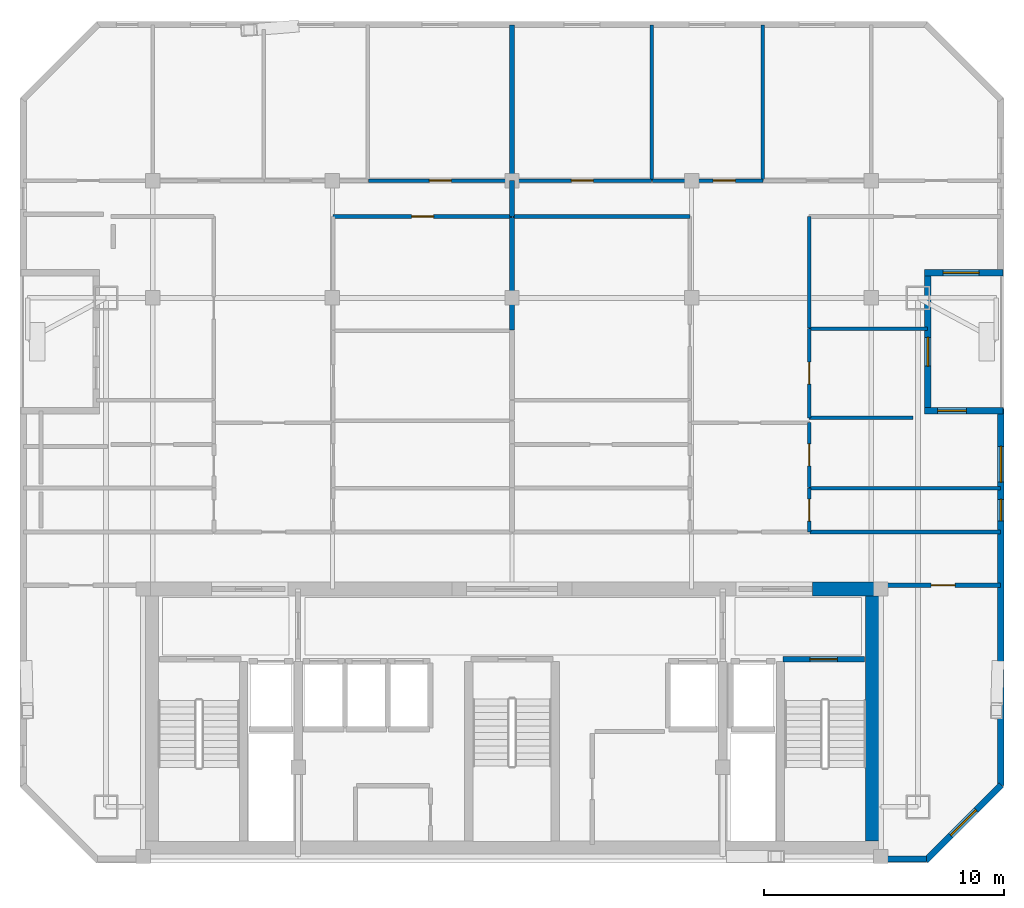
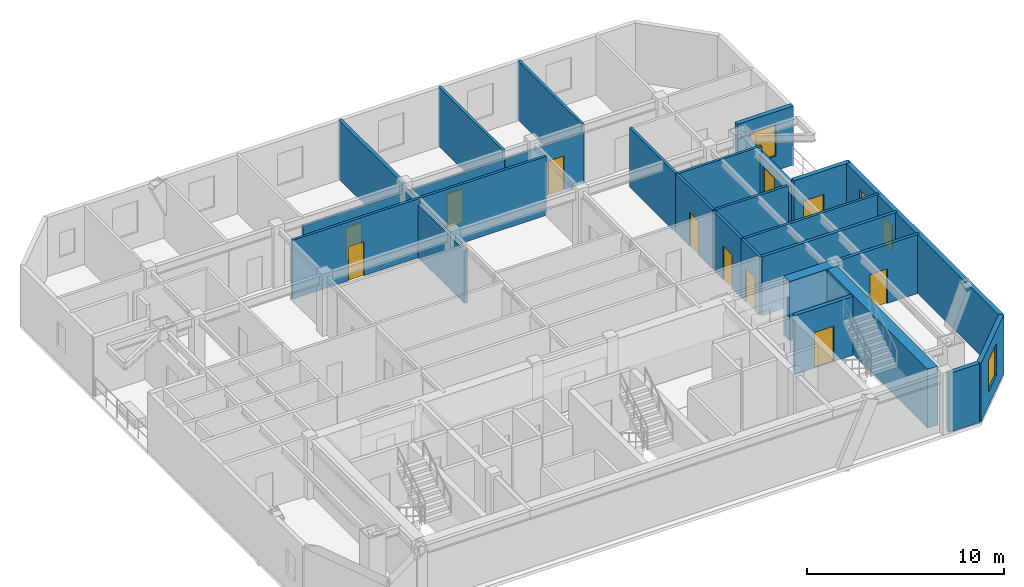
# One storey, part 5 of 7: 28 walls, 10 doors, 5 windows, 15 openings.
"""IFC4 building model written with IfcOpenShell, lengths in metres."""

from ifc_helpers import new_model, si_unit, direction, frame, frame_2d, origin, place, context, subcontext, project, spatial, rectangle, extrude, material, layer, layer_set, type_object, element, fill, save


model = new_model("IFC4")

# Units and contexts
model_context = context("Model", 3, precision=1e-05, world=origin(), true_north=direction((0.0, 1.0)))
body_context = subcontext(model_context, "Body", "Model", "MODEL_VIEW")
ifc_project = project(units=[si_unit("LENGTHUNIT", "METRE"), si_unit("AREAUNIT", "SQUARE_METRE"), si_unit("VOLUMEUNIT", "CUBIC_METRE"), si_unit("PLANEANGLEUNIT", "RADIAN"), si_unit("MASSUNIT", "GRAM", prefix="KILO")], contexts=[model_context])

# Site, building, storey
site_placement = place(None, origin())
site = spatial("IfcSite", under=ifc_project, at=site_placement, CompositionType="ELEMENT")
building_placement = place(site_placement, origin())
building = spatial("IfcBuilding", under=site, at=building_placement, Name="Ventersveld Concourse Tower", CompositionType="ELEMENT")
storey_placement = place(building_placement, frame((0.0, 0.0, 272.14990234375)))
storey = spatial("IfcBuildingStorey", under=building, at=storey_placement, Name="L67", CompositionType="ELEMENT", Elevation=272.14990234375)

# Walls
ifc_material_1 = material(Name="Concrete C50/60", Category="concrete")
ifc_layer_1 = layer(ifc_material_1, 0.60009765625)
ifc_layer_set_1 = layer_set([ifc_layer_1], Name="Concrete C50/60")
wall_type_1 = type_object("IfcWallType", Name="WL-CORE-600", PredefinedType="SHEAR", material=ifc_layer_set_1)
wall_1_placement = place(storey_placement, frame((43.800048828125, 0.919921875, 0.0), z_axis=(0.0, 0.0, 1.0), x_axis=(0.0, 1.0, 0.0)))
element("IfcWall", 1, at=wall_1_placement, inside=storey, type_object=wall_type_1, Name="L67 Rear Core East Shear Wall", PredefinedType="SHEAR", context=body_context, shape_type="SweptSolid", body=[
    extrude(rectangle(XDim=10.530029296875, YDim=0.60009765625, at=frame_2d((5.26513671875, 0.0))), origin(), (0.0, 0.0, 1.0), 3.650146484375),
])
wall_2_placement = place(storey_placement, frame((41.300048828125, 11.449951171875, 0.0), z_axis=(0.0, 0.0, 1.0), x_axis=(1.0, 0.0, 0.0)))
element("IfcWall", 2, at=wall_2_placement, inside=storey, type_object=wall_type_1, Name="L67 Rear Core North Shear Wall NE", PredefinedType="SHEAR", context=body_context, shape_type="SweptSolid", body=[
    extrude(rectangle(XDim=2.949951171875, YDim=0.60009765625, at=frame_2d((1.47509765625, 0.0))), origin(), (0.0, 0.0, 1.0), 3.650146484375),
])

# Wall, opening, door
ifc_material_2 = material(Name="Fire-rated autoclaved aerated masonry blockwork", Category="masonry")
ifc_layer_2 = layer(ifc_material_2, 0.179931640625)
ifc_layer_set_2 = layer_set([ifc_layer_2], Name="Fire-rated autoclaved aerated masonry blockwork")
wall_type_2 = type_object("IfcWallType", Name="WL-CORR-180", PredefinedType="PARTITIONING", material=ifc_layer_set_2)
wall_3_placement = place(storey_placement, frame((44.35498046875, 11.60009765625, 0.0), z_axis=(0.0, 0.0, 1.0), x_axis=(1.0, 0.0, 0.0)))
wall_3 = element("IfcWall", 3, at=wall_3_placement, inside=storey, type_object=wall_type_2, Name="L67 Interior Partition SP-L67-SE-OFF-SP-L67-COR", PredefinedType="PARTITIONING", context=body_context, shape_type="SweptSolid", body=[
    extrude(rectangle(XDim=4.78466796875, YDim=0.179931640625, at=frame_2d((2.392333984375, 0.0))), origin(), (0.0, 0.0, 1.0), 3.650146484375),
])
opening_1_placement = place(wall_3_placement, frame((1.892333984375, 0.0, 0.0)))
opening_1 = element("IfcOpeningElement", 4, at=opening_1_placement, cuts=wall_3, Name="Opening FD3", PredefinedType="OPENING", context=body_context, shape_type="SweptSolid", body=[
    extrude(rectangle(XDim=1.0, YDim=2.14990234375, at=frame_2d((0.5, 1.074951171875))), frame((0.0, 0.10009765625, 0.0), z_axis=(0.0, -1.0, 0.0), x_axis=(1.0, 0.0, 0.0)), (0.0, 0.0, 1.0), 0.199951171875),
])
ifc_material_3 = material(Name="Solid-core hardwood veneer timber", Category="wood")
door_type_1 = type_object("IfcDoorType", Name="DR-FLAT-100", OperationType="NOTDEFINED", PredefinedType="DOOR", material=ifc_material_3)
door_1_placement = place(opening_1_placement, origin())
door_1 = element("IfcDoor", 5, at=door_1_placement, inside=storey, type_object=door_type_1, Name="L67 Interior Door SP-L67-SE-OFF to SP-L67-COR (D-L67-3142)", OperationType="SINGLE_SWING_RIGHT", OverallHeight=2.14990234375, OverallWidth=1.0, PredefinedType="DOOR", context=body_context, shape_type="SweptSolid", body=[
    extrude(rectangle(XDim=1.0, YDim=2.14990234375, at=frame_2d((0.5, 1.074951171875))), frame((0.0, 0.02490234375, 0.0), z_axis=(0.0, -1.0, 0.0), x_axis=(1.0, 0.0, 0.0)), (0.0, 0.0, 1.0), 0.050048828125),
])
fill(opening_1, door_1)

# Walls
wall_4_placement = place(storey_placement, frame((41.190185546875, 13.830078125, 0.0), z_axis=(0.0, 0.0, 1.0), x_axis=(1.0, 0.0, 0.0)))
element("IfcWall", 6, at=wall_4_placement, inside=storey, type_object=wall_type_2, Name="L67 Interior Partition SP-L67-COR-SP-L67-67N2-KIT", PredefinedType="PARTITIONING", context=body_context, shape_type="SweptSolid", body=[
    extrude(rectangle(XDim=7.949462890625, YDim=0.179931640625, at=frame_2d((3.974609375, 0.0))), origin(), (0.0, 0.0, 1.0), 3.650146484375),
])
ifc_layer_3 = layer(ifc_material_2, 0.199951171875)
ifc_layer_set_3 = layer_set([ifc_layer_3], Name="Fire-rated autoclaved aerated masonry blockwork")
wall_type_3 = type_object("IfcWallType", Name="WL-DEMISE-200", PredefinedType="PARTITIONING", material=ifc_layer_set_3)
wall_5_placement = place(storey_placement, frame((28.75, 26.9951171875, 0.0), z_axis=(0.0, 0.0, 1.0), x_axis=(0.0, 1.0, 0.0)))
element("IfcWall", 7, at=wall_5_placement, inside=storey, type_object=wall_type_3, Name="L67 Interior Partition SP-L67-67N1-LIV-SP-L67-67N2-LIV", PredefinedType="PARTITIONING", context=body_context, shape_type="SweptSolid", body=[
    extrude(rectangle(XDim=1.509765625, YDim=0.199951171875, at=frame_2d((0.7548828125, 0.0))), origin(), (0.0, 0.0, 1.0), 3.295166015625),
])
wall_6_placement = place(storey_placement, frame((28.75, 22.26806640625, 0.0), z_axis=(0.0, 0.0, 1.0), x_axis=(0.0, 1.0, 0.0)))
element("IfcWall", 8, at=wall_6_placement, inside=storey, type_object=wall_type_3, Name="L67 Interior Partition SP-L67-67N1-DENS2-SP-L67-67N2-DENL", PredefinedType="PARTITIONING", context=body_context, shape_type="SweptSolid", body=[
    extrude(rectangle(XDim=4.697021484375, YDim=0.199951171875, at=frame_2d((2.3486328125, 0.0))), origin(), (0.0, 0.0, 1.0), 3.295166015625),
])
wall_7_placement = place(storey_placement, frame((28.75, 28.534912109375, 0.0), z_axis=(0.0, 0.0, 1.0), x_axis=(0.0, 1.0, 0.0)))
element("IfcWall", 9, at=wall_7_placement, inside=storey, type_object=wall_type_3, Name="L67 Interior Partition SP-L67-67N1-BR4-SP-L67-67N2-BR1", PredefinedType="PARTITIONING", context=body_context, shape_type="SweptSolid", body=[
    extrude(rectangle(XDim=6.45947265625, YDim=0.199951171875, at=frame_2d((3.229736328125, 0.0))), origin(), (0.0, 0.0, 1.0), 3.650146484375),
])

# Wall, opening, door
ifc_layer_4 = layer(ifc_material_2, 0.219970703125)
ifc_layer_set_4 = layer_set([ifc_layer_4], Name="Fire-rated autoclaved aerated masonry blockwork")
wall_type_4 = type_object("IfcWallType", Name="WL-HOIST-220", PredefinedType="SOLIDWALL", material=ifc_layer_set_4)
wall_8_placement = place(storey_placement, frame((40.06005859375, 8.52001953125, 0.0), z_axis=(0.0, 0.0, 1.0), x_axis=(1.0, 0.0, 0.0)))
wall_8 = element("IfcWall", 10, at=wall_8_placement, inside=storey, type_object=wall_type_4, Name="L67 Escape Stair ST02 Fire Wall", PredefinedType="SOLIDWALL", context=body_context, shape_type="SweptSolid", body=[
    extrude(rectangle(XDim=3.39990234375, YDim=0.219970703125, at=frame_2d((1.699951171875, 0.0))), origin(), (0.0, 0.0, 1.0), 3.650146484375),
])
opening_2_placement = place(wall_8_placement, frame((1.125, 0.0, 0.0)))
opening_2 = element("IfcOpeningElement", 11, at=opening_2_placement, cuts=wall_8, Name="Opening FD1", PredefinedType="OPENING", context=body_context, shape_type="SweptSolid", body=[
    extrude(rectangle(XDim=1.14990234375, YDim=2.199951171875, at=frame_2d((0.574951171875, 1.10009765625))), frame((0.0, 0.1201171875, 0.0), z_axis=(0.0, -1.0, 0.0), x_axis=(1.0, 0.0, 0.0)), (0.0, 0.0, 1.0), 0.239990234375),
])
ifc_material_4 = material(Name="Galvanised painted steel", Category="steel")
door_type_2 = type_object("IfcDoorType", Name="DR-STAIR-115", OperationType="NOTDEFINED", PredefinedType="DOOR", material=ifc_material_4)
door_2_placement = place(opening_2_placement, origin())
door_2 = element("IfcDoor", 12, at=door_2_placement, inside=storey, type_object=door_type_2, Name="L67 Escape Stair Door ST02 (SD-L67-3132)", OperationType="SINGLE_SWING_RIGHT", OverallHeight=2.199951171875, OverallWidth=1.14990234375, PredefinedType="DOOR", context=body_context, shape_type="SweptSolid", body=[
    extrude(rectangle(XDim=1.14990234375, YDim=2.199951171875, at=frame_2d((0.574951171875, 1.10009765625))), frame((0.0, 0.02490234375, 0.0), z_axis=(0.0, -1.0, 0.0), x_axis=(1.0, 0.0, 0.0)), (0.0, 0.0, 1.0), 0.050048828125),
])
fill(opening_2, door_2)

ifc_material_5 = material(Name="Autoclaved aerated masonry blockwork", Category="masonry")
ifc_layer_5 = layer(ifc_material_5, 0.14990234375)
ifc_layer_set_5 = layer_set([ifc_layer_5], Name="Autoclaved aerated masonry blockwork")
wall_type_5 = type_object("IfcWallType", Name="WL-INT-150", PredefinedType="PARTITIONING", material=ifc_layer_set_5)
wall_9_placement = place(storey_placement, frame((21.279052734375, 27.0, 0.0), z_axis=(0.0, 0.0, 1.0), x_axis=(1.0, 0.0, 0.0)))
wall_9 = element("IfcWall", 13, at=wall_9_placement, inside=storey, type_object=wall_type_5, Name="L67 Interior Partition SP-L67-67N1-LIV-SP-L67-67N1-DENS2", PredefinedType="PARTITIONING", context=body_context, shape_type="SweptSolid", body=[
    extrude(rectangle(XDim=7.475830078125, YDim=0.14990234375, at=frame_2d((3.73779296875, 0.0))), origin(), (0.0, 0.0, 1.0), 3.650146484375),
])
opening_3_placement = place(wall_9_placement, frame((3.278076171875, 0.0, 0.0)))
opening_3 = element("IfcOpeningElement", 14, at=opening_3_placement, cuts=wall_9, Name="Opening ID1", PredefinedType="OPENING", context=body_context, shape_type="SweptSolid", body=[
    extrude(rectangle(XDim=0.919921875, YDim=2.10009765625, at=frame_2d((0.4599609375, 1.050048828125))), frame((0.0, 0.0849609375, 0.0), z_axis=(0.0, -1.0, 0.0), x_axis=(1.0, 0.0, 0.0)), (0.0, 0.0, 1.0), 0.169921875),
])
door_type_3 = type_object("IfcDoorType", Name="DR-ROOM-092", OperationType="NOTDEFINED", PredefinedType="DOOR", material=ifc_material_3)
door_3_placement = place(opening_3_placement, origin())
door_3 = element("IfcDoor", 15, at=door_3_placement, inside=storey, type_object=door_type_3, Name="L67 Interior Door SP-L67-67N1-LIV to SP-L67-67N1-DENS2 (D-L67-3152)", OperationType="SINGLE_SWING_RIGHT", OverallHeight=2.10009765625, OverallWidth=0.919921875, PredefinedType="DOOR", context=body_context, shape_type="SweptSolid", body=[
    extrude(rectangle(XDim=0.919921875, YDim=2.10009765625, at=frame_2d((0.4599609375, 1.050048828125))), frame((0.0, 0.02490234375, 0.0), z_axis=(0.0, -1.0, 0.0), x_axis=(1.0, 0.0, 0.0)), (0.0, 0.0, 1.0), 0.050048828125),
])
fill(opening_3, door_3)

wall_10_placement = place(storey_placement, frame((22.767578125, 28.5, 0.0), z_axis=(0.0, 0.0, 1.0), x_axis=(1.0, 0.0, 0.0)))
wall_10 = element("IfcWall", 16, at=wall_10_placement, inside=storey, type_object=wall_type_5, Name="L67 Interior Partition SP-L67-67N1-LIV-SP-L67-67N1-BR4", PredefinedType="PARTITIONING", context=body_context, shape_type="SweptSolid", body=[
    extrude(rectangle(XDim=5.9873046875, YDim=0.14990234375, at=frame_2d((2.99365234375, 0.0))), origin(), (0.0, 0.0, 1.0), 3.105712890625),
])
opening_4_placement = place(wall_10_placement, frame((2.53369140625, 0.0, 0.0)))
opening_4 = element("IfcOpeningElement", 17, at=opening_4_placement, cuts=wall_10, Name="Opening ID1", PredefinedType="OPENING", context=body_context, shape_type="SweptSolid", body=[
    extrude(rectangle(XDim=0.919921875, YDim=2.10009765625, at=frame_2d((0.4599609375, 1.050048828125))), frame((0.0, 0.0849609375, 0.0), z_axis=(0.0, -1.0, 0.0), x_axis=(1.0, 0.0, 0.0)), (0.0, 0.0, 1.0), 0.169921875),
])
door_4_placement = place(opening_4_placement, origin())
door_4 = element("IfcDoor", 18, at=door_4_placement, inside=storey, type_object=door_type_3, Name="L67 Interior Door SP-L67-67N1-LIV to SP-L67-67N1-BR4 (D-L67-3156)", OperationType="SINGLE_SWING_RIGHT", OverallHeight=2.10009765625, OverallWidth=0.919921875, PredefinedType="DOOR", context=body_context, shape_type="SweptSolid", body=[
    extrude(rectangle(XDim=0.919921875, YDim=2.10009765625, at=frame_2d((0.4599609375, 1.050048828125))), frame((0.0, 0.02490234375, 0.0), z_axis=(0.0, -1.0, 0.0), x_axis=(1.0, 0.0, 0.0)), (0.0, 0.0, 1.0), 0.050048828125),
])
fill(opening_4, door_4)

wall_11_placement = place(storey_placement, frame((41.1552734375, 13.824951171875, 0.0), z_axis=(0.0, 0.0, 1.0), x_axis=(0.0, 1.0, 0.0)))
wall_11 = element("IfcWall", 19, at=wall_11_placement, inside=storey, type_object=wall_type_5, Name="L67 Interior Partition SP-L67-67N2-FOY-SP-L67-67N2-KIT", PredefinedType="PARTITIONING", context=body_context, shape_type="SweptSolid", body=[
    extrude(rectangle(XDim=1.840087890625, YDim=0.14990234375, at=frame_2d((0.919921875, 0.0))), origin(), (0.0, 0.0, 1.0), 3.650146484375),
])
opening_5_placement = place(wall_11_placement, frame((0.4599609375, 0.0, 0.0)))
opening_5 = element("IfcOpeningElement", 20, at=opening_5_placement, cuts=wall_11, Name="Opening ID1", PredefinedType="OPENING", context=body_context, shape_type="SweptSolid", body=[
    extrude(rectangle(XDim=0.919921875, YDim=2.10009765625, at=frame_2d((0.4599609375, 1.050048828125))), frame((0.0, 0.0849609375, 0.0), z_axis=(0.0, -1.0, 0.0), x_axis=(1.0, 0.0, 0.0)), (0.0, 0.0, 1.0), 0.169921875),
])
door_5_placement = place(opening_5_placement, origin())
door_5 = element("IfcDoor", 21, at=door_5_placement, inside=storey, type_object=door_type_3, Name="L67 Interior Door SP-L67-67N2-FOY to SP-L67-67N2-KIT (D-L67-3160)", OperationType="SINGLE_SWING_RIGHT", OverallHeight=2.10009765625, OverallWidth=0.919921875, PredefinedType="DOOR", context=body_context, shape_type="SweptSolid", body=[
    extrude(rectangle(XDim=0.919921875, YDim=2.10009765625, at=frame_2d((0.4599609375, 1.050048828125))), frame((0.0, 0.02490234375, 0.0), z_axis=(0.0, -1.0, 0.0), x_axis=(1.0, 0.0, 0.0)), (0.0, 0.0, 1.0), 0.050048828125),
])
fill(opening_5, door_5)

wall_12_placement = place(storey_placement, frame((41.1552734375, 15.695068359375, 0.0), z_axis=(0.0, 0.0, 1.0), x_axis=(0.0, 1.0, 0.0)))
wall_12 = element("IfcWall", 22, at=wall_12_placement, inside=storey, type_object=wall_type_5, Name="L67 Interior Partition SP-L67-67N2-FOY-SP-L67-67N2-MEDR1", PredefinedType="PARTITIONING", context=body_context, shape_type="SweptSolid", body=[
    extrude(rectangle(XDim=2.704833984375, YDim=0.14990234375, at=frame_2d((1.3525390625, 0.0))), origin(), (0.0, 0.0, 1.0), 3.650146484375),
])
opening_6_placement = place(wall_12_placement, frame((0.892333984375, 0.0, 0.0)))
opening_6 = element("IfcOpeningElement", 23, at=opening_6_placement, cuts=wall_12, Name="Opening ID1", PredefinedType="OPENING", context=body_context, shape_type="SweptSolid", body=[
    extrude(rectangle(XDim=0.919921875, YDim=2.10009765625, at=frame_2d((0.4599609375, 1.050048828125))), frame((0.0, 0.0849609375, 0.0), z_axis=(0.0, -1.0, 0.0), x_axis=(1.0, 0.0, 0.0)), (0.0, 0.0, 1.0), 0.169921875),
])
door_6_placement = place(opening_6_placement, origin())
door_6 = element("IfcDoor", 24, at=door_6_placement, inside=storey, type_object=door_type_3, Name="L67 Interior Door SP-L67-67N2-FOY to SP-L67-67N2-MEDR1 (D-L67-3161)", OperationType="SINGLE_SWING_LEFT", OverallHeight=2.10009765625, OverallWidth=0.919921875, PredefinedType="DOOR", context=body_context, shape_type="SweptSolid", body=[
    extrude(rectangle(XDim=0.919921875, YDim=2.10009765625, at=frame_2d((0.4599609375, 1.050048828125))), frame((0.0, 0.02490234375, 0.0), z_axis=(0.0, -1.0, 0.0), x_axis=(1.0, 0.0, 0.0)), (0.0, 0.0, 1.0), 0.050048828125),
])
fill(opening_6, door_6)

# Wall
wall_13_placement = place(storey_placement, frame((28.784912109375, 27.0, 0.0), z_axis=(0.0, 0.0, 1.0), x_axis=(1.0, 0.0, 0.0)))
element("IfcWall", 25, at=wall_13_placement, inside=storey, type_object=wall_type_5, Name="L67 Interior Partition SP-L67-67N2-LIV-SP-L67-67N2-DENL", PredefinedType="PARTITIONING", context=body_context, shape_type="SweptSolid", body=[
    extrude(rectangle(XDim=7.3955078125, YDim=0.14990234375, at=frame_2d((3.69775390625, 0.0))), origin(), (0.0, 0.0, 1.0), 3.650146484375),
])

# Wall, opening, door
wall_14_placement = place(storey_placement, frame((41.1552734375, 18.59619140625, 0.0), z_axis=(0.0, 0.0, 1.0), x_axis=(0.0, 1.0, 0.0)))
wall_14 = element("IfcWall", 26, at=wall_14_placement, inside=storey, type_object=wall_type_5, Name="L67 Interior Partition SP-L67-67N2-LIV-SP-L67-67N2-DENS", PredefinedType="PARTITIONING", context=body_context, shape_type="SweptSolid", body=[
    extrude(rectangle(XDim=3.726806640625, YDim=0.14990234375, at=frame_2d((1.86328125, 0.0))), origin(), (0.0, 0.0, 1.0), 3.650146484375),
])
opening_7_placement = place(wall_14_placement, frame((1.4033203125, 0.0, 0.0)))
opening_7 = element("IfcOpeningElement", 27, at=opening_7_placement, cuts=wall_14, Name="Opening ID1", PredefinedType="OPENING", context=body_context, shape_type="SweptSolid", body=[
    extrude(rectangle(XDim=0.919921875, YDim=2.10009765625, at=frame_2d((0.4599609375, 1.050048828125))), frame((0.0, 0.0849609375, 0.0), z_axis=(0.0, -1.0, 0.0), x_axis=(1.0, 0.0, 0.0)), (0.0, 0.0, 1.0), 0.169921875),
])
door_7_placement = place(opening_7_placement, origin())
door_7 = element("IfcDoor", 28, at=door_7_placement, inside=storey, type_object=door_type_3, Name="L67 Interior Door SP-L67-67N2-LIV to SP-L67-67N2-DENS (D-L67-3163)", OperationType="SINGLE_SWING_LEFT", OverallHeight=2.10009765625, OverallWidth=0.919921875, PredefinedType="DOOR", context=body_context, shape_type="SweptSolid", body=[
    extrude(rectangle(XDim=0.919921875, YDim=2.10009765625, at=frame_2d((0.4599609375, 1.050048828125))), frame((0.0, 0.02490234375, 0.0), z_axis=(0.0, -1.0, 0.0), x_axis=(1.0, 0.0, 0.0)), (0.0, 0.0, 1.0), 0.050048828125),
])
fill(opening_7, door_7)

# Wall
wall_15_placement = place(storey_placement, frame((41.1552734375, 22.35302734375, 0.0), z_axis=(0.0, 0.0, 1.0), x_axis=(0.0, 1.0, 0.0)))
element("IfcWall", 29, at=wall_15_placement, inside=storey, type_object=wall_type_5, Name="L67 Interior Partition SP-L67-67N2-LIV-SP-L67-67N2-DENS2", PredefinedType="PARTITIONING", context=body_context, shape_type="SweptSolid", body=[
    extrude(rectangle(XDim=4.65185546875, YDim=0.14990234375, at=frame_2d((2.325927734375, 0.0))), origin(), (0.0, 0.0, 1.0), 3.650146484375),
])

# Wall, opening, door
wall_16_placement = place(storey_placement, frame((28.784912109375, 28.5, 0.0), z_axis=(0.0, 0.0, 1.0), x_axis=(1.0, 0.0, 0.0)))
wall_16 = element("IfcWall", 30, at=wall_16_placement, inside=storey, type_object=wall_type_5, Name="L67 Interior Partition SP-L67-67N2-LIV-SP-L67-67N2-BR1", PredefinedType="PARTITIONING", context=body_context, shape_type="SweptSolid", body=[
    extrude(rectangle(XDim=5.79931640625, YDim=0.14990234375, at=frame_2d((2.899658203125, 0.0))), origin(), (0.0, 0.0, 1.0), 3.105712890625),
])
opening_8_placement = place(wall_16_placement, frame((2.439697265625, 0.0, 0.0)))
opening_8 = element("IfcOpeningElement", 31, at=opening_8_placement, cuts=wall_16, Name="Opening ID1", PredefinedType="OPENING", context=body_context, shape_type="SweptSolid", body=[
    extrude(rectangle(XDim=0.919921875, YDim=2.10009765625, at=frame_2d((0.4599609375, 1.050048828125))), frame((0.0, 0.0849609375, 0.0), z_axis=(0.0, -1.0, 0.0), x_axis=(1.0, 0.0, 0.0)), (0.0, 0.0, 1.0), 0.169921875),
])
door_8_placement = place(opening_8_placement, origin())
door_8 = element("IfcDoor", 32, at=door_8_placement, inside=storey, type_object=door_type_3, Name="L67 Interior Door SP-L67-67N2-LIV to SP-L67-67N2-BR1 (D-L67-3165)", OperationType="SINGLE_SWING_LEFT", OverallHeight=2.10009765625, OverallWidth=0.919921875, PredefinedType="DOOR", context=body_context, shape_type="SweptSolid", body=[
    extrude(rectangle(XDim=0.919921875, YDim=2.10009765625, at=frame_2d((0.4599609375, 1.050048828125))), frame((0.0, 0.02490234375, 0.0), z_axis=(0.0, -1.0, 0.0), x_axis=(1.0, 0.0, 0.0)), (0.0, 0.0, 1.0), 0.050048828125),
])
fill(opening_8, door_8)

wall_17_placement = place(storey_placement, frame((34.6142578125, 28.5, 0.0), z_axis=(0.0, 0.0, 1.0), x_axis=(1.0, 0.0, 0.0)))
wall_17 = element("IfcWall", 33, at=wall_17_placement, inside=storey, type_object=wall_type_5, Name="L67 Interior Partition SP-L67-67N2-LIV-SP-L67-67N2-BR2", PredefinedType="PARTITIONING", context=body_context, shape_type="SweptSolid", body=[
    extrude(rectangle(XDim=4.60986328125, YDim=0.14990234375, at=frame_2d((2.304931640625, 0.0))), origin(), (0.0, 0.0, 1.0), 3.105712890625),
])
opening_9_placement = place(wall_17_placement, frame((2.536376953125, 0.0, 0.0)))
opening_9 = element("IfcOpeningElement", 34, at=opening_9_placement, cuts=wall_17, Name="Opening ID1", PredefinedType="OPENING", context=body_context, shape_type="SweptSolid", body=[
    extrude(rectangle(XDim=0.919921875, YDim=2.10009765625, at=frame_2d((0.4599609375, 1.050048828125))), frame((0.0, 0.0849609375, 0.0), z_axis=(0.0, -1.0, 0.0), x_axis=(1.0, 0.0, 0.0)), (0.0, 0.0, 1.0), 0.169921875),
])
door_9_placement = place(opening_9_placement, origin())
door_9 = element("IfcDoor", 35, at=door_9_placement, inside=storey, type_object=door_type_3, Name="L67 Interior Door SP-L67-67N2-LIV to SP-L67-67N2-BR2 (D-L67-3166)", OperationType="SINGLE_SWING_RIGHT", OverallHeight=2.10009765625, OverallWidth=0.919921875, PredefinedType="DOOR", context=body_context, shape_type="SweptSolid", body=[
    extrude(rectangle(XDim=0.919921875, YDim=2.10009765625, at=frame_2d((0.4599609375, 1.050048828125))), frame((0.0, 0.02490234375, 0.0), z_axis=(0.0, -1.0, 0.0), x_axis=(1.0, 0.0, 0.0)), (0.0, 0.0, 1.0), 0.050048828125),
])
fill(opening_9, door_9)

# Walls
wall_18_placement = place(storey_placement, frame((41.150390625, 15.659912109375, 0.0), z_axis=(0.0, 0.0, 1.0), x_axis=(1.0, 0.0, 0.0)))
element("IfcWall", 36, at=wall_18_placement, inside=storey, type_object=wall_type_5, Name="L67 Interior Partition SP-L67-67N2-KIT-SP-L67-67N2-MEDR1", PredefinedType="PARTITIONING", context=body_context, shape_type="SweptSolid", body=[
    extrude(rectangle(XDim=7.9892578125, YDim=0.14990234375, at=frame_2d((3.99462890625, 0.0))), origin(), (0.0, 0.0, 1.0), 3.650146484375),
])
wall_19_placement = place(storey_placement, frame((41.150390625, 18.601318359375, 0.0), z_axis=(0.0, 0.0, 1.0), x_axis=(1.0, 0.0, 0.0)))
element("IfcWall", 37, at=wall_19_placement, inside=storey, type_object=wall_type_5, Name="L67 Interior Partition SP-L67-67N2-MEDR1-SP-L67-67N2-DENS", PredefinedType="PARTITIONING", context=body_context, shape_type="SweptSolid", body=[
    extrude(rectangle(XDim=4.34375, YDim=0.14990234375, at=frame_2d((2.171875, 0.0))), origin(), (0.0, 0.0, 1.0), 3.650146484375),
])
wall_20_placement = place(storey_placement, frame((41.150390625, 22.318115234375, 0.0), z_axis=(0.0, 0.0, 1.0), x_axis=(1.0, 0.0, 0.0)))
element("IfcWall", 38, at=wall_20_placement, inside=storey, type_object=wall_type_5, Name="L67 Interior Partition SP-L67-67N2-DENS-SP-L67-67N2-DENS2", PredefinedType="PARTITIONING", context=body_context, shape_type="SweptSolid", body=[
    extrude(rectangle(XDim=4.939208984375, YDim=0.14990234375, at=frame_2d((2.4697265625, 0.0))), origin(), (0.0, 0.0, 1.0), 3.650146484375),
])
for number, where, z_axis, x_axis, name in (
    (39, (34.579345703125, 28.4951171875, 0.0), (0.0, 0.0, 1.0), (0.0, 1.0, 0.0), "L67 Interior Partition SP-L67-67N2-BR1-SP-L67-67N2-BR2"),
    (40, (39.21923828125, 28.4951171875, 0.0), (0.0, 0.0, 1.0), (0.0, 1.0, 0.0), "L67 Interior Partition SP-L67-67N2-BR2-SP-L67-67N2-BR3"),
):
    element("IfcWall", number, at=place(storey_placement, frame(where, z_axis=z_axis, x_axis=x_axis)), inside=storey, type_object=wall_type_5, Name=name, PredefinedType="PARTITIONING", context=body_context, shape_type="SweptSolid", body=[
        extrude(rectangle(XDim=6.499267578125, YDim=0.14990234375, at=frame_2d((3.24951171875, 0.0))), origin(), (0.0, 0.0, 1.0), 3.650146484375),
    ])
ifc_material_6 = material(Name="Precast concrete C45/55", Category="concrete")
ifc_layer_6 = layer(ifc_material_6, 0.260009765625)
ifc_layer_set_6 = layer_set([ifc_layer_6], Name="Precast concrete C45/55")
wall_type_6 = type_object("IfcWallType", Name="WL-PREC-260", PredefinedType="SOLIDWALL", material=ifc_layer_set_6)
wall_21_placement = place(storey_placement, frame((44.25, 0.179931640625, 0.0), z_axis=(0.0, 0.0, 1.0), x_axis=(1.0, 0.0, 0.0)))
element("IfcWall", 41, at=wall_21_placement, inside=storey, type_object=wall_type_6, Name="L67 South-East Flank Precast Wall", PredefinedType="SOLIDWALL", context=body_context, shape_type="SweptSolid", body=[
    extrude(rectangle(XDim=1.799072265625, YDim=0.260009765625, at=frame_2d((0.8994140625, 0.0))), origin(), (0.0, 0.0, 1.0), 3.650146484375),
])

# Wall, opening, window
wall_22_placement = place(storey_placement, frame((46.025390625, 0.1201171875, 0.0), z_axis=(0.0, 0.0, 1.0), x_axis=(0.707106781187, 0.707106781187, 0.0)))
wall_22 = element("IfcWall", 42, at=wall_22_placement, inside=storey, type_object=wall_type_6, Name="L67 Highveld Precast Facade Wall E02", PredefinedType="SOLIDWALL", context=body_context, shape_type="SweptSolid", body=[
    extrude(rectangle(XDim=4.445556640625, YDim=0.260009765625, at=frame_2d((2.22265625, 0.0))), origin(), (0.0, 0.0, 1.0), 3.650146484375),
])
opening_10_placement = place(wall_22_placement, frame((1.47265625, 0.0, 0.89990234375)))
opening_10 = element("IfcOpeningElement", 43, at=opening_10_placement, cuts=wall_22, Name="Opening W1", PredefinedType="OPENING", context=body_context, shape_type="SweptSolid", body=[
    extrude(rectangle(XDim=1.5, YDim=1.949951171875, at=frame_2d((0.75, 0.97509765625))), frame((0.0, 0.14013671875, 0.0), z_axis=(0.0, -1.0, 0.0), x_axis=(1.0, 0.0, 0.0)), (0.0, 0.0, 1.0), 0.280029296875),
])
ifc_material_7 = material(Name="Tempered acoustic Low-E IGU", Category="glass")
window_type_1 = type_object("IfcWindowType", Name="WIN-150x210", PartitioningType="SINGLE_PANEL", PredefinedType="WINDOW", material=ifc_material_7)
window_1_placement = place(opening_10_placement, origin())
window_1 = element("IfcWindow", 44, at=window_1_placement, inside=storey, type_object=window_type_1, Name="L67 Punched Low-E Window W-0950", OverallHeight=1.949951171875, OverallWidth=1.5, PartitioningType="SINGLE_PANEL", PredefinedType="WINDOW", context=body_context, shape_type="SweptSolid", body=[
    extrude(rectangle(XDim=1.5, YDim=1.949951171875, at=frame_2d((0.75, 0.97509765625))), frame((0.0, 0.030029296875, 0.0), z_axis=(0.0, -1.0, 0.0), x_axis=(1.0, 0.0, 0.0)), (0.0, 0.0, 1.0), 0.06005859375),
])
fill(opening_10, window_1)

# Wall, openings, windows
wall_23_placement = place(storey_placement, frame((49.1591796875, 3.239990234375, 0.0), z_axis=(0.0, 0.0, 1.0), x_axis=(0.0, 1.0, 0.0)))
wall_23 = element("IfcWall", 45, at=wall_23_placement, inside=storey, type_object=wall_type_6, Name="L67 Highveld Precast Facade Wall E03", PredefinedType="SOLIDWALL", context=body_context, shape_type="SweptSolid", body=[
    extrude(rectangle(XDim=15.741943359375, YDim=0.260009765625, at=frame_2d((7.87109375, 0.0))), origin(), (0.0, 0.0, 1.0), 3.650146484375),
])
opening_11_placement = place(wall_23_placement, frame((11.054931640625, 0.0, 0.949951171875)))
opening_11 = element("IfcOpeningElement", 46, at=opening_11_placement, cuts=wall_23, Name="Opening W4", PredefinedType="OPENING", context=body_context, shape_type="SweptSolid", body=[
    extrude(rectangle(XDim=0.89990234375, YDim=1.5, at=frame_2d((0.449951171875, 0.75))), frame((0.0, 0.14013671875, 0.0), z_axis=(0.0, -1.0, 0.0), x_axis=(1.0, 0.0, 0.0)), (0.0, 0.0, 1.0), 0.280029296875),
])
opening_12_placement = place(wall_23_placement, frame((12.665771484375, 0.0, 0.89990234375)))
opening_12 = element("IfcOpeningElement", 47, at=opening_12_placement, cuts=wall_23, Name="Opening W1", PredefinedType="OPENING", context=body_context, shape_type="SweptSolid", body=[
    extrude(rectangle(XDim=1.5, YDim=1.949951171875, at=frame_2d((0.75, 0.97509765625))), frame((0.0, 0.14013671875, 0.0), z_axis=(0.0, -1.0, 0.0), x_axis=(1.0, 0.0, 0.0)), (0.0, 0.0, 1.0), 0.280029296875),
])
window_type_2 = type_object("IfcWindowType", Name="WIN-090x150", PartitioningType="SINGLE_PANEL", PredefinedType="WINDOW", material=ifc_material_7)
window_2_placement = place(opening_11_placement, origin())
window_2 = element("IfcWindow", 48, at=window_2_placement, inside=storey, type_object=window_type_2, Name="L67 Punched Low-E Window W-0958", OverallHeight=1.5, OverallWidth=0.89990234375, PartitioningType="SINGLE_PANEL", PredefinedType="WINDOW", context=body_context, shape_type="SweptSolid", body=[
    extrude(rectangle(XDim=0.89990234375, YDim=1.5, at=frame_2d((0.449951171875, 0.75))), frame((0.0, 0.030029296875, 0.0), z_axis=(0.0, -1.0, 0.0), x_axis=(1.0, 0.0, 0.0)), (0.0, 0.0, 1.0), 0.06005859375),
])
fill(opening_11, window_2)
window_3_placement = place(opening_12_placement, origin())
window_3 = element("IfcWindow", 49, at=window_3_placement, inside=storey, type_object=window_type_1, Name="L67 Punched Low-E Window W-0959", OverallHeight=1.949951171875, OverallWidth=1.5, PartitioningType="SINGLE_PANEL", PredefinedType="WINDOW", context=body_context, shape_type="SweptSolid", body=[
    extrude(rectangle(XDim=1.5, YDim=1.949951171875, at=frame_2d((0.75, 0.97509765625))), frame((0.0, 0.030029296875, 0.0), z_axis=(0.0, -1.0, 0.0), x_axis=(1.0, 0.0, 0.0)), (0.0, 0.0, 1.0), 0.06005859375),
])
fill(opening_12, window_3)

# Wall, opening, door
wall_24_placement = place(storey_placement, frame((49.2490234375, 18.891845703125, 0.0), z_axis=(0.0, 0.0, 1.0), x_axis=(-1.0, 0.0, 0.0)))
wall_24 = element("IfcWall", 50, at=wall_24_placement, inside=storey, type_object=wall_type_6, Name="L67 Highveld Precast Facade Wall E04", PredefinedType="SOLIDWALL", context=body_context, shape_type="SweptSolid", body=[
    extrude(rectangle(XDim=3.27001953125, YDim=0.260009765625, at=frame_2d((1.635009765625, 0.0))), origin(), (0.0, 0.0, 1.0), 3.650146484375),
])
opening_13_placement = place(wall_24_placement, frame((1.525390625, 0.0, 0.0)))
opening_13 = element("IfcOpeningElement", 51, at=opening_13_placement, cuts=wall_24, Name="Opening TD1", PredefinedType="OPENING", context=body_context, shape_type="SweptSolid", body=[
    extrude(rectangle(XDim=1.199951171875, YDim=2.199951171875, at=frame_2d((0.60009765625, 1.10009765625))), frame((0.0, 0.14013671875, 0.0), z_axis=(0.0, -1.0, 0.0), x_axis=(1.0, 0.0, 0.0)), (0.0, 0.0, 1.0), 0.280029296875),
])
ifc_material_8 = material(Name="Anodised aluminium EN AW-6063-T6", Category="aluminium")
door_type_4 = type_object("IfcDoorType", Name="DR-TERR-120", OperationType="NOTDEFINED", PredefinedType="DOOR", material=ifc_material_8)
door_10_placement = place(opening_13_placement, frame((1.199951171875, 0.0, 0.0), z_axis=(0.0, 0.0, 1.0), x_axis=(-1.0, 0.0, 0.0)))
door_10 = element("IfcDoor", 52, at=door_10_placement, inside=storey, type_object=door_type_4, Name="L67 Stepped Valley Terrace Door TD-L67-02", OperationType="SINGLE_SWING_LEFT", OverallHeight=2.199951171875, OverallWidth=1.199951171875, PredefinedType="DOOR", context=body_context, shape_type="SweptSolid", body=[
    extrude(rectangle(XDim=1.199951171875, YDim=2.199951171875, at=frame_2d((0.60009765625, 1.10009765625))), frame((0.0, 0.02490234375, 0.0), z_axis=(0.0, -1.0, 0.0), x_axis=(1.0, 0.0, 0.0)), (0.0, 0.0, 1.0), 0.050048828125),
])
fill(opening_13, door_10)

# Wall, opening, window
wall_25_placement = place(storey_placement, frame((46.109130859375, 19.02197265625, 0.0), z_axis=(0.0, 0.0, 1.0), x_axis=(0.0, 1.0, 0.0)))
wall_25 = element("IfcWall", 53, at=wall_25_placement, inside=storey, type_object=wall_type_6, Name="L67 Highveld Precast Facade Wall E05", PredefinedType="SOLIDWALL", context=body_context, shape_type="SweptSolid", body=[
    extrude(rectangle(XDim=5.5, YDim=0.260009765625, at=frame_2d((2.75, 0.0))), origin(), (0.0, 0.0, 1.0), 3.190185546875),
])
opening_14_placement = place(wall_25_placement, frame((1.729736328125, 0.0, 0.89990234375)))
opening_14 = element("IfcOpeningElement", 54, at=opening_14_placement, cuts=wall_25, Name="Opening W3", PredefinedType="OPENING", context=body_context, shape_type="SweptSolid", body=[
    extrude(rectangle(XDim=1.199951171875, YDim=1.699951171875, at=frame_2d((0.60009765625, 0.85009765625))), frame((0.0, 0.14013671875, 0.0), z_axis=(0.0, -1.0, 0.0), x_axis=(1.0, 0.0, 0.0)), (0.0, 0.0, 1.0), 0.280029296875),
])
window_type_3 = type_object("IfcWindowType", Name="WIN-120x180", PartitioningType="SINGLE_PANEL", PredefinedType="WINDOW", material=ifc_material_7)
window_4_placement = place(opening_14_placement, origin())
window_4 = element("IfcWindow", 55, at=window_4_placement, inside=storey, type_object=window_type_3, Name="L67 Punched Low-E Window W-0960", OverallHeight=1.699951171875, OverallWidth=1.199951171875, PartitioningType="SINGLE_PANEL", PredefinedType="WINDOW", context=body_context, shape_type="SweptSolid", body=[
    extrude(rectangle(XDim=1.199951171875, YDim=1.699951171875, at=frame_2d((0.60009765625, 0.85009765625))), frame((0.0, 0.030029296875, 0.0), z_axis=(0.0, -1.0, 0.0), x_axis=(1.0, 0.0, 0.0)), (0.0, 0.0, 1.0), 0.06005859375),
])
fill(opening_14, window_4)

wall_26_placement = place(storey_placement, frame((45.97900390625, 24.65185546875, 0.0), z_axis=(0.0, 0.0, 1.0), x_axis=(1.0, 0.0, 0.0)))
wall_26 = element("IfcWall", 56, at=wall_26_placement, inside=storey, type_object=wall_type_6, Name="L67 Highveld Precast Facade Wall E06", PredefinedType="SOLIDWALL", context=body_context, shape_type="SweptSolid", body=[
    extrude(rectangle(XDim=3.27001953125, YDim=0.260009765625, at=frame_2d((1.635009765625, 0.0))), origin(), (0.0, 0.0, 1.0), 3.650146484375),
])
opening_15_placement = place(wall_26_placement, frame((0.77001953125, 0.0, 0.89990234375)))
opening_15 = element("IfcOpeningElement", 57, at=opening_15_placement, cuts=wall_26, Name="Opening W1", PredefinedType="OPENING", context=body_context, shape_type="SweptSolid", body=[
    extrude(rectangle(XDim=1.5, YDim=1.949951171875, at=frame_2d((0.75, 0.97509765625))), frame((0.0, 0.14013671875, 0.0), z_axis=(0.0, -1.0, 0.0), x_axis=(1.0, 0.0, 0.0)), (0.0, 0.0, 1.0), 0.280029296875),
])
window_5_placement = place(opening_15_placement, origin())
window_5 = element("IfcWindow", 58, at=window_5_placement, inside=storey, type_object=window_type_1, Name="L67 Punched Low-E Window W-0961", OverallHeight=1.949951171875, OverallWidth=1.5, PartitioningType="SINGLE_PANEL", PredefinedType="WINDOW", context=body_context, shape_type="SweptSolid", body=[
    extrude(rectangle(XDim=1.5, YDim=1.949951171875, at=frame_2d((0.75, 0.97509765625))), frame((0.0, 0.030029296875, 0.0), z_axis=(0.0, -1.0, 0.0), x_axis=(1.0, 0.0, 0.0)), (0.0, 0.0, 1.0), 0.06005859375),
])
fill(opening_15, window_5)

save(model, "model.ifc")
